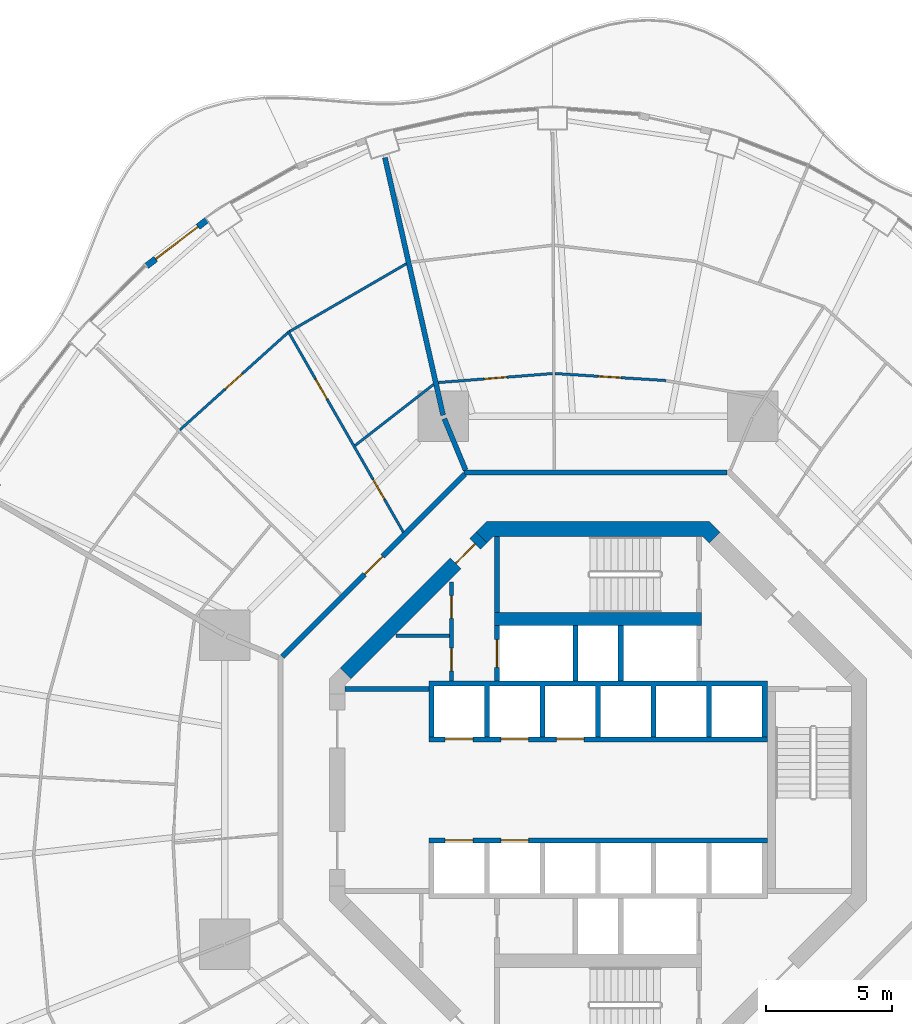
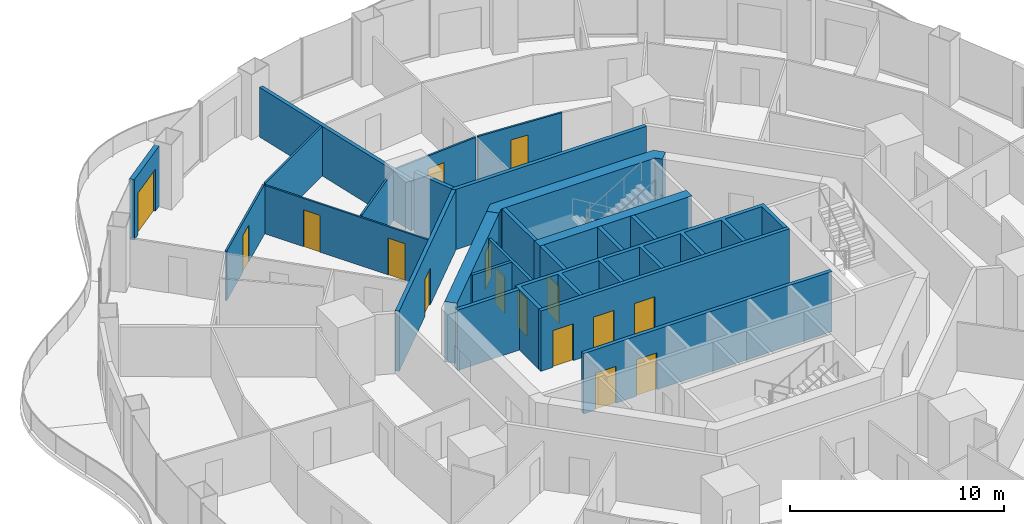
# One storey, part 15 of 20: 24 walls, 16 doors, 16 openings.
"""IFC4 building model written with IfcOpenShell, lengths in metres."""

from ifc_helpers import new_model, si_unit, direction, frame, frame_2d, origin, place, context, subcontext, project, spatial, polyline, rectangle, outline, extrude, material, layer, layer_set, type_object, element, fill, save


model = new_model("IFC4")

# Units and contexts
model_context = context("Model", 3, precision=1e-05, world=origin(), true_north=direction((0.0, 1.0)))
body_context = subcontext(model_context, "Body", "Model", "MODEL_VIEW")
ifc_project = project(units=[si_unit("LENGTHUNIT", "METRE"), si_unit("AREAUNIT", "SQUARE_METRE"), si_unit("VOLUMEUNIT", "CUBIC_METRE"), si_unit("PLANEANGLEUNIT", "RADIAN"), si_unit("MASSUNIT", "GRAM", prefix="KILO")], contexts=[model_context])

# Site, building, storey
site_placement = place(None, origin())
site = spatial("IfcSite", under=ifc_project, at=site_placement, CompositionType="ELEMENT")
building_placement = place(site_placement, origin())
building = spatial("IfcBuilding", under=site, at=building_placement, Name="Nagisa Residences", CompositionType="ELEMENT")
storey_placement = place(building_placement, frame((0.0, 0.0, 141.800048828125)))
storey = spatial("IfcBuildingStorey", under=building, at=storey_placement, Name="L35", CompositionType="ELEMENT", Elevation=141.800048828125)

# Walls
ifc_material_1 = material(Name="Gypsum board on steel studs", Category="steel")
ifc_layer_1 = layer(ifc_material_1, 0.199951171875)
ifc_layer_set_1 = layer_set([ifc_layer_1], Name="Apartment compartment wall EI60 200")
wall_type_1 = type_object("IfcWallType", Name="Apartment compartment wall EI60 200", PredefinedType="PARTITIONING", material=ifc_layer_set_1)
wall_1_placement = place(storey_placement, frame((-5.24267578125, 12.6572265625, 0.0), z_axis=(0.0, 0.0, 1.0), x_axis=(-0.38273085373, 0.923859888513, 0.0)))
element("IfcWall", 1, at=wall_1_placement, inside=storey, type_object=wall_type_1, Name="wall:L35:u00", PredefinedType="PARTITIONING", context=body_context, shape_type="SweptSolid", body=[
    extrude(rectangle(XDim=2.199462890625, YDim=0.199951171875, at=frame_2d((1.099609375, 0.0))), origin(), (0.0, 0.0, 1.0), 3.43994140625),
])
wall_2_placement = place(storey_placement, frame((-6.1337890625, 14.830810546875, 0.0), z_axis=(0.0, 0.0, 1.0), x_axis=(-0.220337590808, 0.975423675167, 0.0)))
element("IfcWall", 2, at=wall_2_placement, inside=storey, type_object=wall_type_1, Name="wall:L35:u01", PredefinedType="PARTITIONING", context=body_context, shape_type="SweptSolid", body=[
    extrude(rectangle(XDim=10.450927734375, YDim=0.199951171875, at=frame_2d((5.2255859375, 0.0))), origin(), (0.0, 0.0, 1.0), 2.827880859375),
])
ifc_material_2 = material(Name="Gypsum board on steel studs", Category="steel")
ifc_layer_2 = layer(ifc_material_2, 0.199951171875)
ifc_layer_set_2 = layer_set([ifc_layer_2], Name="Apartment entry wall EI60 200")
wall_type_2 = type_object("IfcWallType", Name="Apartment entry wall EI60 200", PredefinedType="PARTITIONING", material=ifc_layer_set_2)
wall_3_placement = place(storey_placement, frame((5.1044921875, 12.564697265625, 0.0), z_axis=(0.0, 0.0, 1.0), x_axis=(-1.0, 0.0, 0.0)))
element("IfcWall", 3, at=wall_3_placement, inside=storey, type_object=wall_type_2, Name="wall:L35:u10", PredefinedType="PARTITIONING", context=body_context, shape_type="SweptSolid", body=[
    extrude(rectangle(XDim=10.408935546875, YDim=0.199951171875, at=frame_2d((5.20458984375, 0.0))), origin(), (0.0, 0.0, 1.0), 3.43994140625),
])

# Wall, opening, door
wall_4_placement = place(storey_placement, frame((-5.275146484375, 12.494140625, 0.0), z_axis=(0.0, 0.0, 1.0), x_axis=(-0.707106781187, -0.707106781187, 0.0)))
wall_4 = element("IfcWall", 4, at=wall_4_placement, inside=storey, type_object=wall_type_2, Name="wall:L35:u11", PredefinedType="PARTITIONING", context=body_context, shape_type="SweptSolid", body=[
    extrude(rectangle(XDim=10.209228515625, YDim=0.199951171875, at=frame_2d((5.1044921875, 0.0))), origin(), (0.0, 0.0, 1.0), 3.43994140625),
])
opening_1_placement = place(wall_4_placement, frame((4.6044921875, 0.0, 0.0)))
opening_1 = element("IfcOpeningElement", 5, at=opening_1_placement, cuts=wall_4, Name="Opening L35-U45", PredefinedType="OPENING", context=body_context, shape_type="SweptSolid", body=[
    extrude(rectangle(XDim=1.0, YDim=2.10009765625, at=frame_2d((0.5, 1.050048828125))), frame((0.0, 0.10986328125, 0.0), z_axis=(0.0, -1.0, 0.0), x_axis=(1.0, 0.0, 0.0)), (0.0, 0.0, 1.0), 0.219970703125),
])
ifc_material_3 = material(Name="Timber fire door set", Category="wood")
door_type_1 = type_object("IfcDoorType", Name="Apartment entry door FD30S 1000x2100", OperationType="NOTDEFINED", PredefinedType="DOOR", material=ifc_material_3)
door_1_placement = place(opening_1_placement, frame((1.0, 0.0, 0.0), x_axis=(-1.0, 0.0, 0.0)))
door_1 = element("IfcDoor", 6, at=door_1_placement, inside=storey, type_object=door_type_1, Name="Entry door, Apartment 35D", OperationType="SINGLE_SWING_RIGHT", OverallHeight=2.10009765625, OverallWidth=1.0, PredefinedType="DOOR", context=body_context, shape_type="SweptSolid", body=[
    extrude(rectangle(XDim=1.0, YDim=2.10009765625, at=frame_2d((0.5, 1.050048828125))), frame((0.0, 0.02490234375, 0.0), z_axis=(0.0, -1.0, 0.0), x_axis=(1.0, 0.0, 0.0)), (0.0, 0.0, 1.0), 0.050048828125),
])
fill(opening_1, door_1)

ifc_material_4 = material(Name="Gypsum board on steel studs", Category="steel")
ifc_layer_3 = layer(ifc_material_4, 0.10009765625)
ifc_layer_set_3 = layer_set([ifc_layer_3], Name="Apartment partition 100")
wall_type_3 = type_object("IfcWallType", Name="Apartment partition 100", PredefinedType="PARTITIONING", material=ifc_layer_set_3)
wall_5_placement = place(storey_placement, frame((2.6845703125, 16.2021484375, 0.0), z_axis=(0.0, 0.0, 1.0), x_axis=(-0.998000808042, 0.063201164138, 0.0)))
wall_5 = element("IfcWall", 7, at=wall_5_placement, inside=storey, type_object=wall_type_3, Name="wall:L35:u37", PredefinedType="PARTITIONING", context=body_context, shape_type="SweptSolid", body=[
    extrude(rectangle(XDim=4.39599609375, YDim=0.10009765625, at=frame_2d((2.197998046875, 0.0))), origin(), (0.0, 0.0, 1.0), 2.827880859375),
])
opening_2_placement = place(wall_5_placement, frame((1.77294921875, 0.0, 0.0)))
opening_2 = element("IfcOpeningElement", 8, at=opening_2_placement, cuts=wall_5, Name="Opening L35-U43", PredefinedType="OPENING", context=body_context, shape_type="SweptSolid", body=[
    extrude(rectangle(XDim=0.89990234375, YDim=2.10009765625, at=frame_2d((0.449951171875, 1.050048828125))), frame((0.0, 0.06005859375, 0.0), z_axis=(0.0, -1.0, 0.0), x_axis=(1.0, 0.0, 0.0)), (0.0, 0.0, 1.0), 0.1201171875),
])
ifc_material_5 = material(Name="Timber door set", Category="wood")
door_type_2 = type_object("IfcDoorType", Name="Apartment door 900x2100", OperationType="NOTDEFINED", PredefinedType="DOOR", material=ifc_material_5)
door_2_placement = place(opening_2_placement, origin())
door_2 = element("IfcDoor", 9, at=door_2_placement, inside=storey, type_object=door_type_2, Name="Door to store, Apartment 35C", OperationType="SINGLE_SWING_LEFT", OverallHeight=2.10009765625, OverallWidth=0.89990234375, PredefinedType="DOOR", context=body_context, shape_type="SweptSolid", body=[
    extrude(rectangle(XDim=0.89990234375, YDim=2.10009765625, at=frame_2d((0.449951171875, 1.050048828125))), frame((0.0, 0.02490234375, 0.0), z_axis=(0.0, -1.0, 0.0), x_axis=(1.0, 0.0, 0.0)), (0.0, 0.0, 1.0), 0.050048828125),
])
fill(opening_2, door_2)

wall_6_placement = place(storey_placement, frame((-1.80224609375, 16.479248046875, 0.0), z_axis=(0.0, 0.0, 1.0), x_axis=(-0.996907698294, -0.078581429625, 0.0)))
wall_6 = element("IfcWall", 10, at=wall_6_placement, inside=storey, type_object=wall_type_3, Name="wall:L35:u40", PredefinedType="PARTITIONING", context=body_context, shape_type="SweptSolid", body=[
    extrude(rectangle(XDim=4.535888671875, YDim=0.10009765625, at=frame_2d((2.26806640625, 0.0))), origin(), (0.0, 0.0, 1.0), 2.827880859375),
])
opening_3_placement = place(wall_6_placement, frame((1.818115234375, 0.0, 0.0)))
opening_3 = element("IfcOpeningElement", 11, at=opening_3_placement, cuts=wall_6, Name="Opening L35-U44", PredefinedType="OPENING", context=body_context, shape_type="SweptSolid", body=[
    extrude(rectangle(XDim=0.89990234375, YDim=2.10009765625, at=frame_2d((0.449951171875, 1.050048828125))), frame((0.0, 0.06005859375, 0.0), z_axis=(0.0, -1.0, 0.0), x_axis=(1.0, 0.0, 0.0)), (0.0, 0.0, 1.0), 0.1201171875),
])
door_3_placement = place(opening_3_placement, origin())
door_3 = element("IfcDoor", 12, at=door_3_placement, inside=storey, type_object=door_type_2, Name="Door to laundry, Apartment 35C", OperationType="SINGLE_SWING_RIGHT", OverallHeight=2.10009765625, OverallWidth=0.89990234375, PredefinedType="DOOR", context=body_context, shape_type="SweptSolid", body=[
    extrude(rectangle(XDim=0.89990234375, YDim=2.10009765625, at=frame_2d((0.449951171875, 1.050048828125))), frame((0.0, 0.02490234375, 0.0), z_axis=(0.0, -1.0, 0.0), x_axis=(1.0, 0.0, 0.0)), (0.0, 0.0, 1.0), 0.050048828125),
])
fill(opening_3, door_3)

# Walls
wall_7_placement = place(storey_placement, frame((-6.5029296875, 16.0537109375, 0.0), z_axis=(0.0, 0.0, 1.0), x_axis=(-0.789428807693, -0.613842127574, 0.0)))
element("IfcWall", 13, at=wall_7_placement, inside=storey, type_object=wall_type_3, Name="wall:L35:u42", PredefinedType="PARTITIONING", context=body_context, shape_type="SweptSolid", body=[
    extrude(rectangle(XDim=3.947509765625, YDim=0.10009765625, at=frame_2d((1.9736328125, 0.0))), origin(), (0.0, 0.0, 1.0), 2.827880859375),
])
wall_8_placement = place(storey_placement, frame((-7.586181640625, 20.827392578125, 0.0), z_axis=(0.0, 0.0, 1.0), x_axis=(-0.865093450578, -0.501610727325, 0.0)))
element("IfcWall", 14, at=wall_8_placement, inside=storey, type_object=wall_type_3, Name="wall:L35:u43", PredefinedType="PARTITIONING", context=body_context, shape_type="SweptSolid", body=[
    extrude(rectangle(XDim=5.343017578125, YDim=0.10009765625, at=frame_2d((2.67138671875, 0.0))), origin(), (0.0, 0.0, 1.0), 2.827880859375),
])

# Wall, openings, doors
wall_9_placement = place(storey_placement, frame((-7.707763671875, 10.197998046875, 0.0), z_axis=(0.0, 0.0, 1.0), x_axis=(-0.497449462689, 0.867492957937, 0.0)))
wall_9 = element("IfcWall", 15, at=wall_9_placement, inside=storey, type_object=wall_type_3, Name="wall:L35:u44", PredefinedType="PARTITIONING", context=body_context, shape_type="SweptSolid", body=[
    extrude(rectangle(XDim=9.1845703125, YDim=0.10009765625, at=frame_2d((4.59228515625, 0.0))), origin(), (0.0, 0.0, 1.0), 2.755859375),
])
opening_4_placement = place(wall_9_placement, frame((1.5107421875, 0.0, 0.0)))
opening_4 = element("IfcOpeningElement", 16, at=opening_4_placement, cuts=wall_9, Name="Opening L35-U46", PredefinedType="OPENING", context=body_context, shape_type="SweptSolid", body=[
    extrude(rectangle(XDim=0.89990234375, YDim=2.10009765625, at=frame_2d((0.449951171875, 1.050048828125))), frame((0.0, 0.06005859375, 0.0), z_axis=(0.0, -1.0, 0.0), x_axis=(1.0, 0.0, 0.0)), (0.0, 0.0, 1.0), 0.1201171875),
])
opening_5_placement = place(wall_9_placement, frame((6.077880859375, 0.0, 0.0)))
opening_5 = element("IfcOpeningElement", 17, at=opening_5_placement, cuts=wall_9, Name="Opening L35-U48", PredefinedType="OPENING", context=body_context, shape_type="SweptSolid", body=[
    extrude(rectangle(XDim=0.89990234375, YDim=2.10009765625, at=frame_2d((0.449951171875, 1.050048828125))), frame((0.0, 0.06005859375, 0.0), z_axis=(0.0, -1.0, 0.0), x_axis=(1.0, 0.0, 0.0)), (0.0, 0.0, 1.0), 0.1201171875),
])
door_4_placement = place(opening_4_placement, frame((0.89990234375, 0.0, 0.0), x_axis=(-1.0, 0.0, 0.0)))
door_4 = element("IfcDoor", 18, at=door_4_placement, inside=storey, type_object=door_type_2, Name="Door to laundry, Apartment 35D", OperationType="SINGLE_SWING_LEFT", OverallHeight=2.10009765625, OverallWidth=0.89990234375, PredefinedType="DOOR", context=body_context, shape_type="SweptSolid", body=[
    extrude(rectangle(XDim=0.89990234375, YDim=2.10009765625, at=frame_2d((0.449951171875, 1.050048828125))), frame((0.0, 0.02490234375, 0.0), z_axis=(0.0, -1.0, 0.0), x_axis=(1.0, 0.0, 0.0)), (0.0, 0.0, 1.0), 0.050048828125),
])
fill(opening_4, door_4)
door_5_placement = place(opening_5_placement, frame((0.89990234375, 0.0, 0.0), x_axis=(-1.0, 0.0, 0.0)))
door_5 = element("IfcDoor", 19, at=door_5_placement, inside=storey, type_object=door_type_2, Name="Door to kitchen, Apartment 35D", OperationType="SINGLE_SWING_LEFT", OverallHeight=2.10009765625, OverallWidth=0.89990234375, PredefinedType="DOOR", context=body_context, shape_type="SweptSolid", body=[
    extrude(rectangle(XDim=0.89990234375, YDim=2.10009765625, at=frame_2d((0.449951171875, 1.050048828125))), frame((0.0, 0.02490234375, 0.0), z_axis=(0.0, -1.0, 0.0), x_axis=(1.0, 0.0, 0.0)), (0.0, 0.0, 1.0), 0.050048828125),
])
fill(opening_5, door_5)

# Wall, opening, door
wall_10_placement = place(storey_placement, frame((-12.2890625, 18.088623046875, 0.0), z_axis=(0.0, 0.0, 1.0), x_axis=(-0.743146066164, -0.669129228435, 0.0)))
wall_10 = element("IfcWall", 20, at=wall_10_placement, inside=storey, type_object=wall_type_3, Name="wall:L35:u45", PredefinedType="PARTITIONING", context=body_context, shape_type="SweptSolid", body=[
    extrude(rectangle(XDim=5.7392578125, YDim=0.10009765625, at=frame_2d((2.86962890625, 0.0))), origin(), (0.0, 0.0, 1.0), 2.827880859375),
])
opening_6_placement = place(wall_10_placement, frame((2.419677734375, 0.0, 0.0)))
opening_6 = element("IfcOpeningElement", 21, at=opening_6_placement, cuts=wall_10, Name="Opening L35-U50", PredefinedType="OPENING", context=body_context, shape_type="SweptSolid", body=[
    extrude(rectangle(XDim=0.89990234375, YDim=2.10009765625, at=frame_2d((0.449951171875, 1.050048828125))), frame((0.0, 0.06005859375, 0.0), z_axis=(0.0, -1.0, 0.0), x_axis=(1.0, 0.0, 0.0)), (0.0, 0.0, 1.0), 0.1201171875),
])
door_6_placement = place(opening_6_placement, frame((0.89990234375, 0.0, 0.0), x_axis=(-1.0, 0.0, 0.0)))
door_6 = element("IfcDoor", 22, at=door_6_placement, inside=storey, type_object=door_type_2, Name="Door to family room, Apartment 35D", OperationType="SINGLE_SWING_LEFT", OverallHeight=2.10009765625, OverallWidth=0.89990234375, PredefinedType="DOOR", context=body_context, shape_type="SweptSolid", body=[
    extrude(rectangle(XDim=0.89990234375, YDim=2.10009765625, at=frame_2d((0.449951171875, 1.050048828125))), frame((0.0, 0.02490234375, 0.0), z_axis=(0.0, -1.0, 0.0), x_axis=(1.0, 0.0, 0.0)), (0.0, 0.0, 1.0), 0.050048828125),
])
fill(opening_6, door_6)

ifc_material_6 = material(Name="Precast concrete C40/50", Category="concrete")
ifc_layer_4 = layer(ifc_material_6, 0.25)
ifc_layer_set_4 = layer_set([ifc_layer_4], Name="BALCONY DOOR WALL 250")
wall_type_4 = type_object("IfcWallType", Name="BALCONY DOOR WALL 250", PredefinedType="SOLIDWALL", material=ifc_layer_set_4)
wall_11_placement = place(storey_placement, frame((-17.8779296875, 20.738037109375, 0.0), z_axis=(0.0, 0.0, 1.0), x_axis=(0.796022231079, 0.605267385233, 0.0)))
wall_11 = element("IfcWall", 23, at=wall_11_placement, inside=storey, type_object=wall_type_4, Name="wall:L35:bay16", PredefinedType="SOLIDWALL", context=body_context, shape_type="SweptSolid", body=[
    extrude(rectangle(XDim=3.025634765625, YDim=0.25, at=frame_2d((1.5126953125, 0.0))), origin(), (0.0, 0.0, 1.0), 3.43994140625),
])
opening_7_placement = place(wall_11_placement, frame((0.462646484375, 0.0, 0.0)))
opening_7 = element("IfcOpeningElement", 24, at=opening_7_placement, cuts=wall_11, Name="Opening BD-L35-06", PredefinedType="OPENING", context=body_context, shape_type="SweptSolid", body=[
    extrude(rectangle(XDim=2.10009765625, YDim=2.39990234375, at=frame_2d((1.050048828125, 1.199951171875))), frame((0.0, 0.135009765625, 0.0), z_axis=(0.0, -1.0, 0.0), x_axis=(1.0, 0.0, 0.0)), (0.0, 0.0, 1.0), 0.27001953125),
])
ifc_material_7 = material(Name="Aluminium and clear glass", Category="aluminium")
door_type_3 = type_object("IfcDoorType", Name="BALCONY SLIDING DOOR 2100x2400", OperationType="SLIDING_TO_LEFT", PredefinedType="DOOR", material=ifc_material_7)
door_7_placement = place(opening_7_placement, origin())
door_7 = element("IfcDoor", 25, at=door_7_placement, inside=storey, type_object=door_type_3, Name="door:L35:bay16", OperationType="SLIDING_TO_LEFT", OverallHeight=2.39990234375, OverallWidth=2.10009765625, PredefinedType="DOOR", context=body_context, shape_type="SweptSolid", body=[
    extrude(rectangle(XDim=2.10009765625, YDim=2.39990234375, at=frame_2d((1.050048828125, 1.199951171875))), frame((0.0, 0.02490234375, 0.0), z_axis=(0.0, -1.0, 0.0), x_axis=(1.0, 0.0, 0.0)), (0.0, 0.0, 1.0), 0.050048828125),
])
fill(opening_7, door_7)

# Wall, openings, doors
ifc_material_8 = material(Name="Gypsum board on steel studs", Category="steel")
ifc_layer_5 = layer(ifc_material_8, 0.14990234375)
ifc_layer_set_5 = layer_set([ifc_layer_5], Name="Core partition 150")
wall_type_5 = type_object("IfcWallType", Name="Core partition 150", PredefinedType="PARTITIONING", material=ifc_layer_set_5)
wall_12_placement = place(storey_placement, frame((-5.800048828125, 4.300048828125, 0.0), z_axis=(0.0, 0.0, 1.0), x_axis=(0.0, 1.0, 0.0)))
wall_12 = element("IfcWall", 26, at=wall_12_placement, inside=storey, type_object=wall_type_5, Name="wall:L35:NWp", PredefinedType="PARTITIONING", context=body_context, shape_type="SweptSolid", body=[
    extrude(rectangle(XDim=3.927001953125, YDim=0.14990234375, at=frame_2d((1.96337890625, 0.0))), origin(), (0.0, 0.0, 1.0), 3.43994140625),
])
opening_8_placement = place(wall_12_placement, frame((0.41259765625, 0.0, 0.0)))
opening_8 = element("IfcOpeningElement", 27, at=opening_8_placement, cuts=wall_12, Name="Opening L35-C12", PredefinedType="OPENING", context=body_context, shape_type="SweptSolid", body=[
    extrude(rectangle(XDim=0.89990234375, YDim=2.10009765625, at=frame_2d((0.449951171875, 1.050048828125))), frame((0.0, 0.0849609375, 0.0), z_axis=(0.0, -1.0, 0.0), x_axis=(1.0, 0.0, 0.0)), (0.0, 0.0, 1.0), 0.169921875),
])
opening_9_placement = place(wall_12_placement, frame((2.488525390625, 0.0, 0.0)))
opening_9 = element("IfcOpeningElement", 28, at=opening_9_placement, cuts=wall_12, Name="Opening L35-C13", PredefinedType="OPENING", context=body_context, shape_type="SweptSolid", body=[
    extrude(rectangle(XDim=0.89990234375, YDim=2.10009765625, at=frame_2d((0.449951171875, 1.050048828125))), frame((0.0, 0.0849609375, 0.0), z_axis=(0.0, -1.0, 0.0), x_axis=(1.0, 0.0, 0.0)), (0.0, 0.0, 1.0), 0.169921875),
])
ifc_material_9 = material(Name="Steel fire door", Category="steel")
door_type_4 = type_object("IfcDoorType", Name="Fire door EI30 900x2100 single swing", OperationType="NOTDEFINED", PredefinedType="DOOR", material=ifc_material_9)
door_8_placement = place(opening_8_placement, origin())
door_8 = element("IfcDoor", 29, at=door_8_placement, inside=storey, type_object=door_type_4, Name="Linen store door L35", OperationType="SINGLE_SWING_RIGHT", OverallHeight=2.10009765625, OverallWidth=0.89990234375, PredefinedType="DOOR", context=body_context, shape_type="SweptSolid", body=[
    extrude(rectangle(XDim=0.89990234375, YDim=2.10009765625, at=frame_2d((0.449951171875, 1.050048828125))), frame((0.0, 0.02490234375, 0.0), z_axis=(0.0, -1.0, 0.0), x_axis=(1.0, 0.0, 0.0)), (0.0, 0.0, 1.0), 0.050048828125),
])
fill(opening_8, door_8)
door_9_placement = place(opening_9_placement, origin())
door_9 = element("IfcDoor", 30, at=door_9_placement, inside=storey, type_object=door_type_4, Name="Refuse room door L35", OperationType="SINGLE_SWING_RIGHT", OverallHeight=2.10009765625, OverallWidth=0.89990234375, PredefinedType="DOOR", context=body_context, shape_type="SweptSolid", body=[
    extrude(rectangle(XDim=0.89990234375, YDim=2.10009765625, at=frame_2d((0.449951171875, 1.050048828125))), frame((0.0, 0.02490234375, 0.0), z_axis=(0.0, -1.0, 0.0), x_axis=(1.0, 0.0, 0.0)), (0.0, 0.0, 1.0), 0.050048828125),
])
fill(opening_9, door_9)

# Walls
wall_13_placement = place(storey_placement, frame((-8.0009765625, 6.10009765625, 0.0), z_axis=(0.0, 0.0, 1.0), x_axis=(1.0, 0.0, 0.0)))
element("IfcWall", 31, at=wall_13_placement, inside=storey, type_object=wall_type_5, Name="wall:L35:NWq", PredefinedType="PARTITIONING", context=body_context, shape_type="SweptSolid", body=[
    extrude(rectangle(XDim=2.1259765625, YDim=0.14990234375, at=frame_2d((1.06298828125, 0.0))), origin(), (0.0, 0.0, 1.0), 3.43994140625),
])
ifc_material_10 = material(Name="Gypsum board on steel studs", Category="steel")
ifc_layer_6 = layer(ifc_material_10, 0.199951171875)
ifc_layer_set_6 = layer_set([ifc_layer_6], Name="Core partition 200")
wall_type_6 = type_object("IfcWallType", Name="Core partition 200", PredefinedType="PARTITIONING", material=ifc_layer_set_6)
wall_14_placement = place(storey_placement, frame((-10.024658203125, 4.0, 0.0), z_axis=(0.0, 0.0, 1.0), x_axis=(1.0, 0.0, 0.0)))
element("IfcWall", 32, at=wall_14_placement, inside=storey, type_object=wall_type_6, Name="wall:L35:PNW", PredefinedType="PARTITIONING", context=body_context, shape_type="SweptSolid", body=[
    extrude(rectangle(XDim=3.32470703125, YDim=0.199951171875, at=frame_2d((1.662353515625, 0.0))), origin(), (0.0, 0.0, 1.0), 3.43994140625),
])

# Wall, opening, door
ifc_material_11 = material(Name="Concrete C60", Category="concrete")
ifc_layer_7 = layer(ifc_material_11, 0.60009765625)
ifc_layer_set_7 = layer_set([ifc_layer_7], Name="Core shear wall 600")
wall_type_7 = type_object("IfcWallType", Name="Core shear wall 600", PredefinedType="SHEAR", material=ifc_layer_set_7)
wall_15_placement = place(storey_placement, frame((-4.613037109375, 9.98828125, 0.0), z_axis=(0.0, 0.0, 1.0), x_axis=(-0.707106781187, -0.707106781187, 0.0)))
wall_15 = element("IfcWall", 33, at=wall_15_placement, inside=storey, type_object=wall_type_7, Name="wall:L35:core:flat3", PredefinedType="SHEAR", context=body_context, shape_type="SweptSolid", body=[
    extrude(rectangle(XDim=7.601806640625, YDim=0.60009765625, at=frame_2d((3.80078125, 0.0))), origin(), (0.0, 0.0, 1.0), 3.43994140625),
])
opening_10_placement = place(wall_15_placement, frame((0.350830078125, 0.0, 0.0)))
opening_10 = element("IfcOpeningElement", 34, at=opening_10_placement, cuts=wall_15, Name="Opening L35-C20", PredefinedType="OPENING", context=body_context, shape_type="SweptSolid", body=[
    extrude(rectangle(XDim=1.10009765625, YDim=2.10009765625, at=frame_2d((0.550048828125, 1.050048828125))), frame((0.0, 0.31005859375, 0.0), z_axis=(0.0, -1.0, 0.0), x_axis=(1.0, 0.0, 0.0)), (0.0, 0.0, 1.0), 0.6201171875),
])
ifc_material_12 = material(Name="Steel fire door", Category="steel")
door_type_5 = type_object("IfcDoorType", Name="Fire door EI60 1100x2100 single swing", OperationType="NOTDEFINED", PredefinedType="DOOR", material=ifc_material_12)
door_10_placement = place(opening_10_placement, origin())
door_10 = element("IfcDoor", 35, at=door_10_placement, inside=storey, type_object=door_type_5, Name="Service lobby door L35", OperationType="SINGLE_SWING_RIGHT", OverallHeight=2.10009765625, OverallWidth=1.10009765625, PredefinedType="DOOR", context=body_context, shape_type="SweptSolid", body=[
    extrude(rectangle(XDim=1.10009765625, YDim=2.10009765625, at=frame_2d((0.550048828125, 1.050048828125))), frame((0.0, 0.02490234375, 0.0), z_axis=(0.0, -1.0, 0.0), x_axis=(1.0, 0.0, 0.0)), (0.0, 0.0, 1.0), 0.050048828125),
])
fill(opening_10, door_10)

# Wall
wall_16_placement = place(storey_placement, origin())
element("IfcWall", 36, at=wall_16_placement, inside=storey, type_object=wall_type_7, Name="wall:L35:core:flat2", PredefinedType="SHEAR", context=body_context, shape_type="SweptSolid", body=[
    extrude(outline(polyline([(-4.15234375, 10.024658203125), (-4.40087890625, 9.776123046875), (-4.8251953125, 10.200439453125), (-4.40087890625, 10.62451171875), (4.40087890625, 10.62451171875), (4.8251953125, 10.200439453125), (4.40087890625, 9.776123046875), (4.15234375, 10.024658203125), (-4.15234375, 10.024658203125)])), origin(), (0.0, 0.0, 1.0), 3.43994140625),
])

# Wall, opening, door
ifc_material_13 = material(Name="Concrete C60", Category="concrete")
ifc_layer_8 = layer(ifc_material_13, 0.199951171875)
ifc_layer_set_8 = layer_set([ifc_layer_8], Name="Lift shaft wall 200")
wall_type_8 = type_object("IfcWallType", Name="Lift shaft wall 200", PredefinedType="SOLIDWALL", material=ifc_layer_set_8)
wall_17_placement = place(storey_placement, frame((-4.0, 4.300048828125, 0.0), z_axis=(0.0, 0.0, 1.0), x_axis=(0.0, 1.0, 0.0)))
wall_17 = element("IfcWall", 37, at=wall_17_placement, inside=storey, type_object=wall_type_8, Name="wall:L35:Nb4", PredefinedType="SOLIDWALL", context=body_context, shape_type="SweptSolid", body=[
    extrude(rectangle(XDim=2.199951171875, YDim=0.199951171875, at=frame_2d((1.10009765625, 0.0))), origin(), (0.0, 0.0, 1.0), 3.43994140625),
])
opening_11_placement = place(wall_17_placement, frame((0.550048828125, 0.0, 0.0)))
opening_11 = element("IfcOpeningElement", 38, at=opening_11_placement, cuts=wall_17, Name="Opening L35-C08", PredefinedType="OPENING", context=body_context, shape_type="SweptSolid", body=[
    extrude(rectangle(XDim=1.10009765625, YDim=2.10009765625, at=frame_2d((0.550048828125, 1.050048828125))), frame((0.0, 0.10986328125, 0.0), z_axis=(0.0, -1.0, 0.0), x_axis=(1.0, 0.0, 0.0)), (0.0, 0.0, 1.0), 0.219970703125),
])
ifc_material_14 = material(Name="Stainless steel", Category="steel")
door_type_6 = type_object("IfcDoorType", Name="Lift landing door 1100x2100", OperationType="DOUBLE_DOOR_SLIDING", PredefinedType="DOOR", material=ifc_material_14)
door_11_placement = place(opening_11_placement, origin())
door_11 = element("IfcDoor", 39, at=door_11_placement, inside=storey, type_object=door_type_6, Name="Landing door SV L35", OperationType="DOUBLE_DOOR_SLIDING", OverallHeight=2.10009765625, OverallWidth=1.10009765625, PredefinedType="DOOR", context=body_context, shape_type="SweptSolid", body=[
    extrude(rectangle(XDim=1.10009765625, YDim=2.10009765625, at=frame_2d((0.550048828125, 1.050048828125))), frame((0.0, 0.02490234375, 0.0), z_axis=(0.0, -1.0, 0.0), x_axis=(1.0, 0.0, 0.0)), (0.0, 0.0, 1.0), 0.050048828125),
])
fill(opening_11, door_11)

# Wall, openings, doors
wall_18_placement = place(storey_placement, frame((-6.699951171875, 2.0, 0.0), z_axis=(0.0, 0.0, 1.0), x_axis=(1.0, 0.0, 0.0)))
wall_18 = element("IfcWall", 40, at=wall_18_placement, inside=storey, type_object=wall_type_8, Name="wall:L35:Nfront", PredefinedType="SOLIDWALL", context=body_context, shape_type="SweptSolid", body=[
    extrude(rectangle(XDim=13.39990234375, YDim=0.199951171875, at=frame_2d((6.699951171875, 0.0))), origin(), (0.0, 0.0, 1.0), 3.43994140625),
])
opening_12_placement = place(wall_18_placement, frame((0.64990234375, 0.0, 0.0)))
opening_12 = element("IfcOpeningElement", 41, at=opening_12_placement, cuts=wall_18, Name="Opening L35-C01", PredefinedType="OPENING", context=body_context, shape_type="SweptSolid", body=[
    extrude(rectangle(XDim=1.10009765625, YDim=2.10009765625, at=frame_2d((0.550048828125, 1.050048828125))), frame((0.0, 0.10986328125, 0.0), z_axis=(0.0, -1.0, 0.0), x_axis=(1.0, 0.0, 0.0)), (0.0, 0.0, 1.0), 0.219970703125),
])
opening_13_placement = place(wall_18_placement, frame((2.85009765625, 0.0, 0.0)))
opening_13 = element("IfcOpeningElement", 42, at=opening_13_placement, cuts=wall_18, Name="Opening L35-C02", PredefinedType="OPENING", context=body_context, shape_type="SweptSolid", body=[
    extrude(rectangle(XDim=1.10009765625, YDim=2.10009765625, at=frame_2d((0.550048828125, 1.050048828125))), frame((0.0, 0.10986328125, 0.0), z_axis=(0.0, -1.0, 0.0), x_axis=(1.0, 0.0, 0.0)), (0.0, 0.0, 1.0), 0.219970703125),
])
opening_14_placement = place(wall_18_placement, frame((5.050048828125, 0.0, 0.0)))
opening_14 = element("IfcOpeningElement", 43, at=opening_14_placement, cuts=wall_18, Name="Opening L35-C03", PredefinedType="OPENING", context=body_context, shape_type="SweptSolid", body=[
    extrude(rectangle(XDim=1.10009765625, YDim=2.10009765625, at=frame_2d((0.550048828125, 1.050048828125))), frame((0.0, 0.10986328125, 0.0), z_axis=(0.0, -1.0, 0.0), x_axis=(1.0, 0.0, 0.0)), (0.0, 0.0, 1.0), 0.219970703125),
])
door_12_placement = place(opening_12_placement, origin())
door_12 = element("IfcDoor", 44, at=door_12_placement, inside=storey, type_object=door_type_6, Name="Landing door A1 L35", OperationType="DOUBLE_DOOR_SLIDING", OverallHeight=2.10009765625, OverallWidth=1.10009765625, PredefinedType="DOOR", context=body_context, shape_type="SweptSolid", body=[
    extrude(rectangle(XDim=1.10009765625, YDim=2.10009765625, at=frame_2d((0.550048828125, 1.050048828125))), frame((0.0, 0.02490234375, 0.0), z_axis=(0.0, -1.0, 0.0), x_axis=(1.0, 0.0, 0.0)), (0.0, 0.0, 1.0), 0.050048828125),
])
fill(opening_12, door_12)
door_13_placement = place(opening_13_placement, origin())
door_13 = element("IfcDoor", 45, at=door_13_placement, inside=storey, type_object=door_type_6, Name="Landing door A2 L35", OperationType="DOUBLE_DOOR_SLIDING", OverallHeight=2.10009765625, OverallWidth=1.10009765625, PredefinedType="DOOR", context=body_context, shape_type="SweptSolid", body=[
    extrude(rectangle(XDim=1.10009765625, YDim=2.10009765625, at=frame_2d((0.550048828125, 1.050048828125))), frame((0.0, 0.02490234375, 0.0), z_axis=(0.0, -1.0, 0.0), x_axis=(1.0, 0.0, 0.0)), (0.0, 0.0, 1.0), 0.050048828125),
])
fill(opening_13, door_13)
door_14_placement = place(opening_14_placement, origin())
door_14 = element("IfcDoor", 46, at=door_14_placement, inside=storey, type_object=door_type_6, Name="Landing door A3 L35", OperationType="DOUBLE_DOOR_SLIDING", OverallHeight=2.10009765625, OverallWidth=1.10009765625, PredefinedType="DOOR", context=body_context, shape_type="SweptSolid", body=[
    extrude(rectangle(XDim=1.10009765625, YDim=2.10009765625, at=frame_2d((0.550048828125, 1.050048828125))), frame((0.0, 0.02490234375, 0.0), z_axis=(0.0, -1.0, 0.0), x_axis=(1.0, 0.0, 0.0)), (0.0, 0.0, 1.0), 0.050048828125),
])
fill(opening_14, door_14)

wall_19_placement = place(storey_placement, frame((-6.699951171875, -2.0, 0.0), z_axis=(0.0, 0.0, 1.0), x_axis=(1.0, 0.0, 0.0)))
wall_19 = element("IfcWall", 47, at=wall_19_placement, inside=storey, type_object=wall_type_8, Name="wall:L35:Sfront", PredefinedType="SOLIDWALL", context=body_context, shape_type="SweptSolid", body=[
    extrude(rectangle(XDim=13.39990234375, YDim=0.199951171875, at=frame_2d((6.699951171875, 0.0))), origin(), (0.0, 0.0, 1.0), 3.43994140625),
])
opening_15_placement = place(wall_19_placement, frame((0.64990234375, 0.0, 0.0)))
opening_15 = element("IfcOpeningElement", 48, at=opening_15_placement, cuts=wall_19, Name="Opening L35-C04", PredefinedType="OPENING", context=body_context, shape_type="SweptSolid", body=[
    extrude(rectangle(XDim=1.10009765625, YDim=2.10009765625, at=frame_2d((0.550048828125, 1.050048828125))), frame((0.0, 0.10986328125, 0.0), z_axis=(0.0, -1.0, 0.0), x_axis=(1.0, 0.0, 0.0)), (0.0, 0.0, 1.0), 0.219970703125),
])
opening_16_placement = place(wall_19_placement, frame((2.85009765625, 0.0, 0.0)))
opening_16 = element("IfcOpeningElement", 49, at=opening_16_placement, cuts=wall_19, Name="Opening L35-C05", PredefinedType="OPENING", context=body_context, shape_type="SweptSolid", body=[
    extrude(rectangle(XDim=1.10009765625, YDim=2.10009765625, at=frame_2d((0.550048828125, 1.050048828125))), frame((0.0, 0.10986328125, 0.0), z_axis=(0.0, -1.0, 0.0), x_axis=(1.0, 0.0, 0.0)), (0.0, 0.0, 1.0), 0.219970703125),
])
door_15_placement = place(opening_15_placement, origin())
door_15 = element("IfcDoor", 50, at=door_15_placement, inside=storey, type_object=door_type_6, Name="Landing door A4 L35", OperationType="DOUBLE_DOOR_SLIDING", OverallHeight=2.10009765625, OverallWidth=1.10009765625, PredefinedType="DOOR", context=body_context, shape_type="SweptSolid", body=[
    extrude(rectangle(XDim=1.10009765625, YDim=2.10009765625, at=frame_2d((0.550048828125, 1.050048828125))), frame((0.0, 0.02490234375, 0.0), z_axis=(0.0, -1.0, 0.0), x_axis=(1.0, 0.0, 0.0)), (0.0, 0.0, 1.0), 0.050048828125),
])
fill(opening_15, door_15)
door_16_placement = place(opening_16_placement, origin())
door_16 = element("IfcDoor", 51, at=door_16_placement, inside=storey, type_object=door_type_6, Name="Landing door A5 L35", OperationType="DOUBLE_DOOR_SLIDING", OverallHeight=2.10009765625, OverallWidth=1.10009765625, PredefinedType="DOOR", context=body_context, shape_type="SweptSolid", body=[
    extrude(rectangle(XDim=1.10009765625, YDim=2.10009765625, at=frame_2d((0.550048828125, 1.050048828125))), frame((0.0, 0.02490234375, 0.0), z_axis=(0.0, -1.0, 0.0), x_axis=(1.0, 0.0, 0.0)), (0.0, 0.0, 1.0), 0.050048828125),
])
fill(opening_16, door_16)

# Walls
for number, where, z_axis, x_axis, name in (
    (52, (-0.89990234375, 4.300048828125, 0.0), (0.0, 0.0, 1.0), (0.0, 1.0, 0.0), "wall:L35:Nb1"),
    (53, (0.89990234375, 4.300048828125, 0.0), (0.0, 0.0, 1.0), (0.0, 1.0, 0.0), "wall:L35:Nb2"),
):
    element("IfcWall", number, at=place(storey_placement, frame(where, z_axis=z_axis, x_axis=x_axis)), inside=storey, type_object=wall_type_8, Name=name, PredefinedType="SOLIDWALL", context=body_context, shape_type="SweptSolid", body=[
        extrude(rectangle(XDim=2.199951171875, YDim=0.199951171875, at=frame_2d((1.10009765625, 0.0))), origin(), (0.0, 0.0, 1.0), 3.43994140625),
    ])
wall_20_placement = place(storey_placement, origin())
element("IfcWall", 54, at=wall_20_placement, inside=storey, type_object=wall_type_8, Name="wall:L35:Nback", PredefinedType="SOLIDWALL", context=body_context, shape_type="SweptSolid", body=[
    extrude(outline(polyline([(-6.5, 2.10009765625), (-6.699951171875, 2.10009765625), (-6.699951171875, 4.300048828125), (6.699951171875, 4.300048828125), (6.699951171875, 2.10009765625), (6.5, 2.10009765625), (6.5, 4.10009765625), (4.5, 4.10009765625), (4.5, 2.10009765625), (4.300048828125, 2.10009765625), (4.300048828125, 4.10009765625), (2.300048828125, 4.10009765625), (2.300048828125, 2.10009765625), (2.10009765625, 2.10009765625), (2.10009765625, 4.10009765625), (0.10009765625, 4.10009765625), (0.10009765625, 2.10009765625), (-0.10009765625, 2.10009765625), (-0.10009765625, 4.10009765625), (-2.10009765625, 4.10009765625), (-2.10009765625, 2.10009765625), (-2.300048828125, 2.10009765625), (-2.300048828125, 4.10009765625), (-4.300048828125, 4.10009765625), (-4.300048828125, 2.10009765625), (-4.5, 2.10009765625), (-4.5, 4.10009765625), (-6.5, 4.10009765625), (-6.5, 2.10009765625)])), origin(), (0.0, 0.0, 1.0), 3.43994140625),
])
ifc_material_15 = material(Name="Concrete C60", Category="concrete")
ifc_layer_9 = layer(ifc_material_15, 0.199951171875)
ifc_layer_set_9 = layer_set([ifc_layer_9], Name="Stair enclosure wall 200")
wall_type_9 = type_object("IfcWallType", Name="Stair enclosure wall 200", PredefinedType="SOLIDWALL", material=ifc_layer_set_9)
wall_21_placement = place(storey_placement, origin())
element("IfcWall", 55, at=wall_21_placement, inside=storey, type_object=wall_type_9, Name="wall:L35:SN_w", PredefinedType="SOLIDWALL", context=body_context, shape_type="SweptSolid", body=[
    extrude(outline(polyline([(-3.89990234375, 7.024658203125), (-4.10009765625, 7.024658203125), (-4.10009765625, 10.024658203125), (-3.89990234375, 10.024658203125), (-3.89990234375, 7.024658203125)])), origin(), (0.0, 0.0, 1.0), 3.43994140625),
])
wall_22_placement = place(storey_placement, origin())
element("IfcWall", 56, at=wall_22_placement, inside=storey, type_object=wall_type_9, Name="wall:L35:SN_s", PredefinedType="SOLIDWALL", context=body_context, shape_type="SweptSolid", body=[
    extrude(outline(polyline([(4.10009765625, 6.5), (-4.10009765625, 6.5), (-4.10009765625, 7.024658203125), (4.10009765625, 7.024658203125), (4.10009765625, 6.5)])), origin(), (0.0, 0.0, 1.0), 3.43994140625),
])

save(model, "model.ifc")
